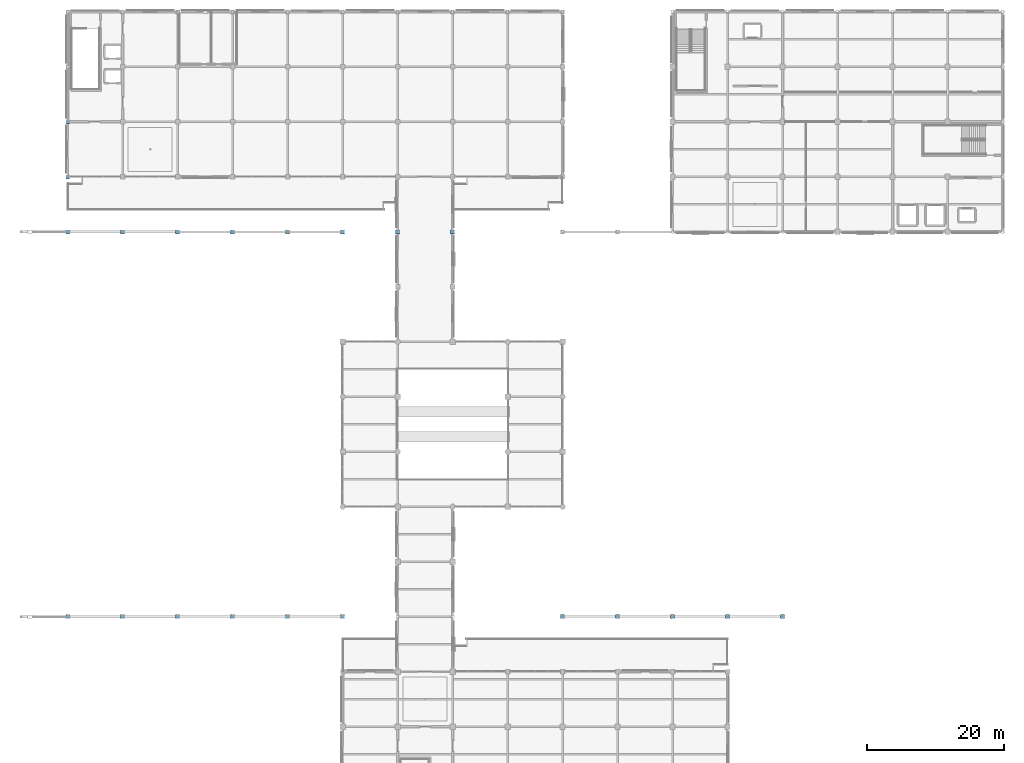
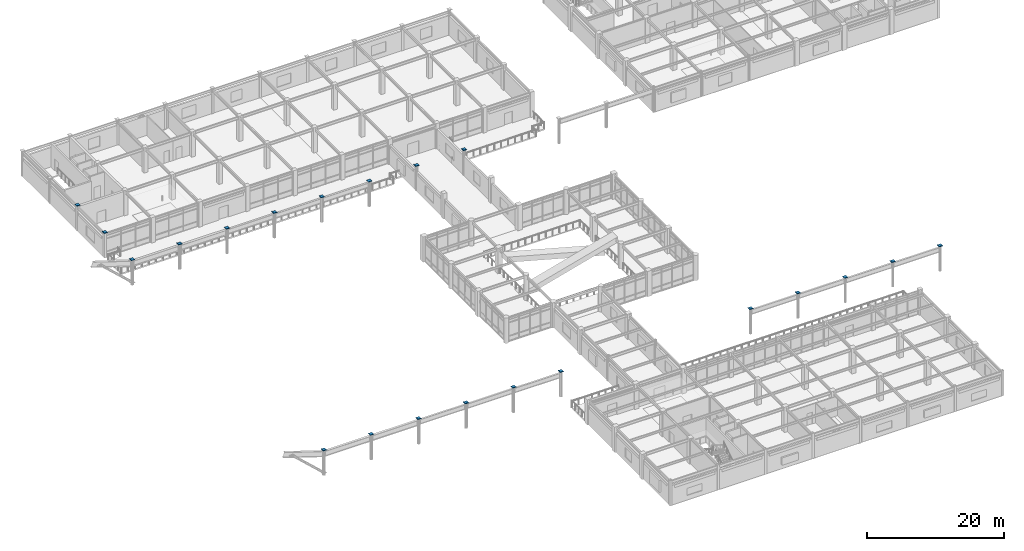
# One storey, part 67 of 78: 21 discrete accessories.
"""IFC4 building model written with IfcOpenShell, lengths in metres."""

from ifc_helpers import new_model, si_unit, direction, frame, origin, origin_2d, place, context, subcontext, project, spatial, rectangle, extrude, material, layer, layer_set, type_object, element, save


model = new_model("IFC4")

# Units and contexts
model_context = context("Model", 3, precision=1e-05, world=origin(), true_north=direction((0.0, 1.0)))
body_context = subcontext(model_context, "Body", "Model", "MODEL_VIEW")
ifc_project = project(units=[si_unit("LENGTHUNIT", "METRE"), si_unit("AREAUNIT", "SQUARE_METRE"), si_unit("VOLUMEUNIT", "CUBIC_METRE"), si_unit("PLANEANGLEUNIT", "RADIAN"), si_unit("MASSUNIT", "GRAM", prefix="KILO")], contexts=[model_context])

# Site, building, storey
site_placement = place(None, origin())
site = spatial("IfcSite", under=ifc_project, at=site_placement, CompositionType="ELEMENT")
building_placement = place(site_placement, origin())
building = spatial("IfcBuilding", under=site, at=building_placement, Name="Solmirada Galleria", CompositionType="ELEMENT")
storey_placement = place(building_placement, frame((0.0, 0.0, 23.89990234375)))
storey = spatial("IfcBuildingStorey", under=building, at=storey_placement, Name="L05", CompositionType="ELEMENT", Elevation=23.89990234375)

# Discrete accessories
ifc_material = material(Name="Steel S355 / ASTM A572 Grade 50", Category="steel")
ifc_layer = layer(ifc_material, 0.031982421875)
ifc_layer_set = layer_set([ifc_layer], Name="Steel S355 / ASTM A572 Grade 50")
discrete_accessory_type = type_object("IfcDiscreteAccessoryType", Name="ACC-COL-CAP", PredefinedType="BRACKET", material=ifc_layer_set)
for number, where, z_axis, x_axis, name in (
    (1, (40.0, 32.0, 4.494140625), (0.0, 0.0, 1.0), (1.0, 0.0, 0.0), "Hollow column cap plate L05-0035"),
    (2, (40.0, 88.0, 4.494140625), (0.0, 0.0, 1.0), (1.0, 0.0, 0.0), "Hollow column cap plate L05-0051"),
    (3, (40.0, 96.0, 4.494140625), (0.0, 0.0, 1.0), (1.0, 0.0, 0.0), "Hollow column cap plate L05-0058"),
    (4, (40.0, 104.0, 4.494140625), (0.0, 0.0, 1.0), (1.0, 0.0, 0.0), "Hollow column cap plate L05-0065"),
    (5, (48.0, 32.0, 4.494140625), (0.0, 0.0, 1.0), (1.0, 0.0, 0.0), "Hollow column cap plate L05-0098"),
    (6, (48.0, 88.0, 4.494140625), (0.0, 0.0, 1.0), (1.0, 0.0, 0.0), "Hollow column cap plate L05-0118"),
    (7, (56.0, 32.0, 4.494140625), (0.0, 0.0, 1.0), (1.0, 0.0, 0.0), "Hollow column cap plate L05-0165"),
    (8, (56.0, 88.0, 4.494140625), (0.0, 0.0, 1.0), (1.0, 0.0, 0.0), "Hollow column cap plate L05-0185"),
    (9, (64.0, 32.0, 4.494140625), (0.0, 0.0, 1.0), (1.0, 0.0, 0.0), "Hollow column cap plate L05-0229"),
    (10, (64.0, 88.0, 4.494140625), (0.0, 0.0, 1.0), (1.0, 0.0, 0.0), "Hollow column cap plate L05-0249"),
    (11, (72.0, 32.0, 4.494140625), (0.0, 0.0, 1.0), (1.0, 0.0, 0.0), "Hollow column cap plate L05-0296"),
    (12, (72.0, 88.0, 4.494140625), (0.0, 0.0, 1.0), (1.0, 0.0, 0.0), "Hollow column cap plate L05-0316"),
    (13, (80.0, 32.0, 4.494140625), (0.0, 0.0, 1.0), (1.0, 0.0, 0.0), "Hollow column cap plate L05-0382"),
    (14, (80.0, 88.0, 4.494140625), (0.0, 0.0, 1.0), (1.0, 0.0, 0.0), "Hollow column cap plate L05-0433"),
    (15, (88.0, 88.0, 4.494140625), (0.0, 0.0, 1.0), (1.0, 0.0, 0.0), "Hollow column cap plate L05-0555"),
    (16, (96.0, 88.0, 4.494140625), (0.0, 0.0, 1.0), (1.0, 0.0, 0.0), "Hollow column cap plate L05-0663"),
    (17, (112.0, 32.0, 4.494140625), (0.0, 0.0, 1.0), (1.0, 0.0, 0.0), "Hollow column cap plate L05-0840"),
    (18, (120.0, 32.0, 4.494140625), (0.0, 0.0, 1.0), (1.0, 0.0, 0.0), "Hollow column cap plate L05-0957"),
    (19, (128.0, 32.0, 4.494140625), (0.0, 0.0, 1.0), (1.0, 0.0, 0.0), "Hollow column cap plate L05-1040"),
    (20, (136.0, 32.0, 4.494140625), (0.0, 0.0, 1.0), (1.0, 0.0, 0.0), "Hollow column cap plate L05-1141"),
    (21, (144.0, 32.0, 4.494140625), (0.0, 0.0, 1.0), (1.0, 0.0, 0.0), "Hollow column cap plate L05-1231"),
):
    element("IfcDiscreteAccessory", number, at=place(storey_placement, frame(where, z_axis=z_axis, x_axis=x_axis)), inside=storey, type_object=discrete_accessory_type, Name=name, PredefinedType="BRACKET", context=body_context, shape_type="SweptSolid", body=[
        extrude(rectangle(XDim=0.580078125, YDim=0.580078125, at=origin_2d()), origin(), (0.0, 0.0, 1.0), 0.035888671875),
    ])

save(model, "model.ifc")
